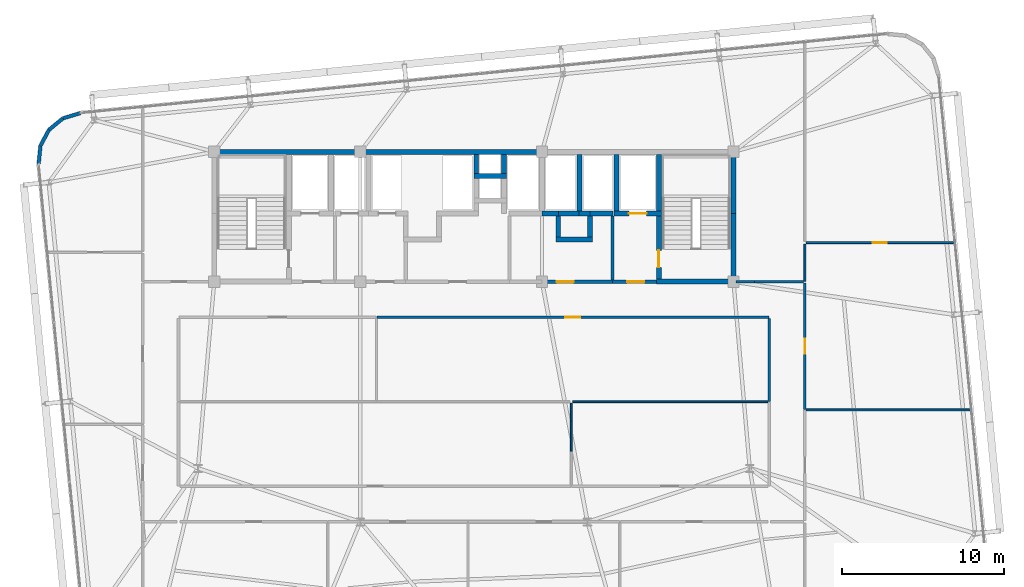
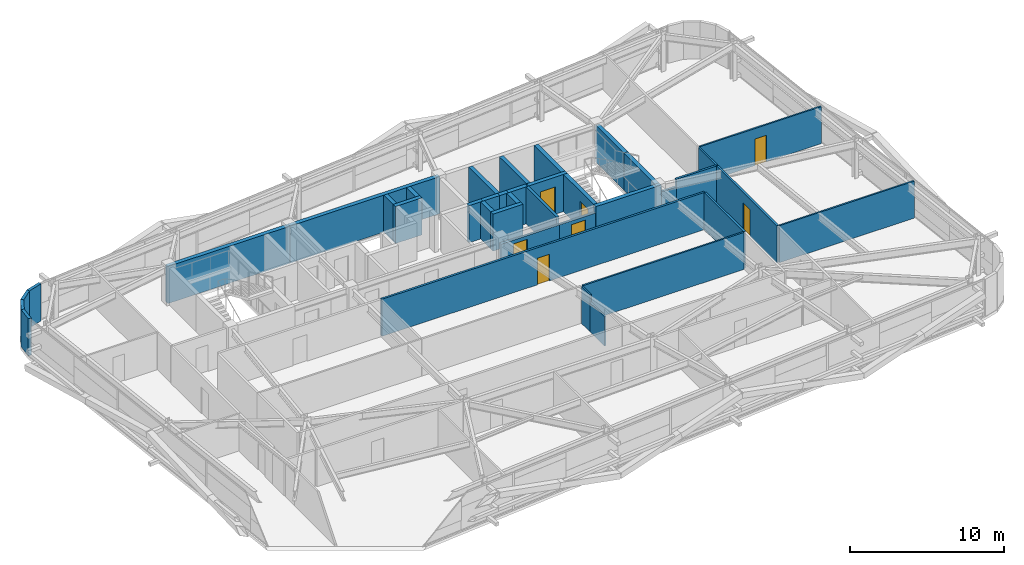
# One storey, part 43 of 47: 38 walls, 7 doors, 7 openings.
"""IFC4 building model written with IfcOpenShell, lengths in metres."""

from ifc_helpers import new_model, si_unit, direction, frame, frame_2d, origin, place, context, subcontext, project, spatial, rectangle, extrude, source, transform, mapped, material, layer, layer_set, type_object, element, fill, save


model = new_model("IFC4")

# Units and contexts
model_context = context("Model", 3, precision=1e-05, world=origin(), true_north=direction((0.0, 1.0)))
body_context = subcontext(model_context, "Body", "Model", "MODEL_VIEW")
ifc_project = project(units=[si_unit("LENGTHUNIT", "METRE"), si_unit("AREAUNIT", "SQUARE_METRE"), si_unit("VOLUMEUNIT", "CUBIC_METRE"), si_unit("PLANEANGLEUNIT", "RADIAN"), si_unit("MASSUNIT", "GRAM", prefix="KILO")], contexts=[model_context])

# Site, building, storey
site_placement = place(None, origin())
site = spatial("IfcSite", under=ifc_project, at=site_placement, CompositionType="ELEMENT")
building_placement = place(site_placement, origin())
building = spatial("IfcBuilding", under=site, at=building_placement, Name="Taldren Reach Tower", CompositionType="ELEMENT")
storey_placement = place(building_placement, frame((0.0, 0.0, 87.14990234375)))
storey = spatial("IfcBuildingStorey", under=building, at=storey_placement, Name="L26", CompositionType="ELEMENT", Elevation=87.14990234375)

# Walls
ifc_material_1 = material(Name="Pale Champagne Anodised Aluminium Cladding", Category="aluminium")
ifc_layer_1 = layer(ifc_material_1, 0.04, Name="Pale Champagne Anodised Aluminium Cladding", Category="aluminium")
ifc_material_2 = material(Name="Mineral Wool Acoustic Insulation", Category="insulation")
ifc_layer_2 = layer(ifc_material_2, 0.06, Name="Mineral Wool Acoustic Insulation", Category="insulation")
ifc_material_3 = material(Name="Steel Gr 350 (C350L0)", Category="steel")
ifc_layer_3 = layer(ifc_material_3, 0.12, Name="Steel Gr 350 (C350L0)", Category="steel")
ifc_layer_set_1 = layer_set([ifc_layer_1, ifc_layer_2, ifc_layer_3], Name="Pale Champagne Aluminium Cladding and Steel Gr 350 Stud Framing")
wall_type_1 = type_object("IfcWallType", Name="EW-CRN-220", PredefinedType="SOLIDWALL", material=ifc_layer_set_1)
shared_shape_1 = source(origin(), body_context, "Body", "SweptSolid", [
    extrude(rectangle(XDim=1.115966796875, YDim=0.219970703125, at=frame_2d((0.55810546875, 0.0))), origin(), (0.0, 0.0, 1.0), 2.93017578125),
])
wall_1_placement = place(storey_placement, frame((10.7509765625, 34.386474609375, 0.0), z_axis=(0.0, 0.0, 1.0), x_axis=(-0.957070388811, -0.289855603468, 0.0)))
element("IfcWall", 1, at=wall_1_placement, inside=storey, type_object=wall_type_1, Name="Rounded-corner pale-metal facade wall L26-NW1", PredefinedType="SOLIDWALL", context=body_context, shape_type="MappedRepresentation", body=[
    mapped(shared_shape_1, transform((0.0, 0.0, 0.0), scale=1.0)),
])
shared_shape_2 = source(origin(), body_context, "Body", "SweptSolid", [
    extrude(rectangle(XDim=1.11572265625, YDim=0.219970703125, at=frame_2d((0.557861328125, 0.0))), origin(), (0.0, 0.0, 1.0), 2.93017578125),
])
for number, where, z_axis, x_axis, name in (
    (2, (9.682861328125, 34.06298828125, 0.0), (0.0, 0.0, 1.0), (-0.773254916409, -0.634095287989, 0.0), "Rounded-corner pale-metal facade wall L26-NW2"),
    (3, (8.29345703125, 32.371337890625, 0.0), (0.0, 0.0, 1.0), (-0.098463783145, -0.99514063499, 0.0), "Rounded-corner pale-metal facade wall L26-NW4"),
):
    element("IfcWall", number, at=place(storey_placement, frame(where, z_axis=z_axis, x_axis=x_axis)), inside=storey, type_object=wall_type_1, Name=name, PredefinedType="SOLIDWALL", context=body_context, shape_type="MappedRepresentation", body=[
        mapped(shared_shape_2, transform((0.0, 0.0, 0.0), scale=1.0)),
    ])
shared_shape_3 = source(origin(), body_context, "Body", "SweptSolid", [
    extrude(rectangle(XDim=1.1162109375, YDim=0.219970703125, at=frame_2d((0.55810546875, 0.0))), origin(), (0.0, 0.0, 1.0), 2.93017578125),
])
wall_2_placement = place(storey_placement, frame((8.820068359375, 33.35546875, 0.0), z_axis=(0.0, 0.0, 1.0), x_axis=(-0.471802540493, -0.881704237704, 0.0)))
element("IfcWall", 4, at=wall_2_placement, inside=storey, type_object=wall_type_1, Name="Rounded-corner pale-metal facade wall L26-NW3", PredefinedType="SOLIDWALL", context=body_context, shape_type="MappedRepresentation", body=[
    mapped(shared_shape_3, transform((0.0, 0.0, 0.0), scale=1.0)),
])
ifc_material_4 = material(Name="Fire-Rated Acoustic Plasterboard Stud Wall", Category="gypsum")
ifc_layer_4 = layer(ifc_material_4, 0.159912109375)
ifc_layer_set_2 = layer_set([ifc_layer_4], Name="Fire-Rated Acoustic Plasterboard Stud Wall")
wall_type_2 = type_object("IfcWallType", Name="IW-FIRE-160", PredefinedType="PARTITIONING", material=ifc_layer_set_2)
shared_shape_4 = source(origin(), body_context, "Body", "SweptSolid", [
    extrude(rectangle(XDim=5.099853515625, YDim=0.159912109375, at=frame_2d((2.5498046875, 0.0))), origin(), (0.0, 0.0, 1.0), 2.93017578125),
])
wall_3_placement = place(storey_placement, frame((53.199951171875, 16.6201171875, 0.0), z_axis=(0.0, 0.0, 1.0), x_axis=(0.0, 1.0, 0.0)))
element("IfcWall", 5, at=wall_3_placement, inside=storey, type_object=wall_type_2, Name="Interior Partition Wall W-INT-L26-050", PredefinedType="PARTITIONING", context=body_context, shape_type="MappedRepresentation", body=[
    mapped(shared_shape_4, transform((0.0, 0.0, 0.0), scale=1.0)),
])

# Wall, opening, door
shared_shape_5 = source(origin(), body_context, "Body", "SweptSolid", [
    extrude(rectangle(XDim=24.159423828125, YDim=0.159912109375, at=frame_2d((12.07958984375, 0.0))), origin(), (0.0, 0.0, 1.0), 2.93017578125),
])
wall_4_placement = place(storey_placement, frame((53.1796875, 21.800048828125, 0.0), z_axis=(0.0, 0.0, 1.0), x_axis=(-1.0, 0.0, 0.0)))
wall_4 = element("IfcWall", 6, at=wall_4_placement, inside=storey, type_object=wall_type_2, Name="Interior Partition Wall W-INT-L26-049", PredefinedType="PARTITIONING", context=body_context, shape_type="MappedRepresentation", body=[
    mapped(shared_shape_5, transform((0.0, 0.0, 0.0), scale=1.0)),
])
shared_shape_6 = source(origin(), body_context, "Body", "SweptSolid", [
    extrude(rectangle(XDim=0.919921875, YDim=2.10009765625, at=frame_2d((0.4599609375, 1.050048828125))), frame((0.0, 0.08984375, 0.0), z_axis=(0.0, -1.0, 0.0), x_axis=(1.0, 0.0, 0.0)), (0.0, 0.0, 1.0), 0.179931640625),
])
opening_1_placement = place(wall_4_placement, frame((11.619873046875, 0.0, 0.0)))
opening_1 = element("IfcOpeningElement", 7, at=opening_1_placement, cuts=wall_4, Name="Opening DI-092", PredefinedType="OPENING", context=body_context, shape_type="MappedRepresentation", body=[
    mapped(shared_shape_6, transform((0.0, 0.0, 0.0), scale=1.0)),
])
ifc_material_5 = material(Name="Solid-Core Timber Suite Door", Category="wood")
door_type_1 = type_object("IfcDoorType", Name="ID-INT-092", OperationType="NOTDEFINED", PredefinedType="DOOR", material=ifc_material_5)
shared_shape_7 = source(origin(), body_context, "Body", "SweptSolid", [
    extrude(rectangle(XDim=0.919921875, YDim=2.10009765625, at=frame_2d((0.4599609375, 1.050048828125))), frame((0.0, 0.02490234375, 0.0), z_axis=(0.0, -1.0, 0.0), x_axis=(1.0, 0.0, 0.0)), (0.0, 0.0, 1.0), 0.050048828125),
])
door_1_placement = place(opening_1_placement, origin())
door_1 = element("IfcDoor", 8, at=door_1_placement, inside=storey, type_object=door_type_1, Name="Interior Door DR-L26-009", OperationType="SINGLE_SWING_RIGHT", OverallHeight=2.10009765625, OverallWidth=0.919921875, PredefinedType="DOOR", context=body_context, shape_type="MappedRepresentation", body=[
    mapped(shared_shape_7, transform((0.0, 0.0, 0.0), scale=1.0)),
])
fill(opening_1, door_1)

# Walls
ifc_material_6 = material(Name="Insulated Residential Stud Partition", Category="gypsum")
ifc_layer_5 = layer(ifc_material_6, 0.1201171875)
ifc_layer_set_3 = layer_set([ifc_layer_5], Name="Insulated Residential Stud Partition")
wall_type_3 = type_object("IfcWallType", Name="IW-PART-120", PredefinedType="PARTITIONING", material=ifc_layer_set_3)
shared_shape_8 = source(origin(), body_context, "Body", "SweptSolid", [
    extrude(rectangle(XDim=1.10400390625, YDim=0.1201171875, at=frame_2d((0.552001953125, 0.0))), origin(), (0.0, 0.0, 1.0), 2.93017578125),
])
wall_5_placement = place(storey_placement, frame((41.0, 16.52001953125, 0.0), z_axis=(0.0, 0.0, 1.0), x_axis=(0.0, -1.0, 0.0)))
element("IfcWall", 9, at=wall_5_placement, inside=storey, type_object=wall_type_3, Name="Interior Partition Wall W-INT-L26-065", PredefinedType="PARTITIONING", context=body_context, shape_type="MappedRepresentation", body=[
    mapped(shared_shape_8, transform((0.0, 0.0, 0.0), scale=1.0)),
])
shared_shape_9 = source(origin(), body_context, "Body", "SweptSolid", [
    extrude(rectangle(XDim=1.860595703125, YDim=0.1201171875, at=frame_2d((0.93017578125, 0.0))), origin(), (0.0, 0.0, 1.0), 2.328125),
])
wall_6_placement = place(storey_placement, frame((41.0, 15.416015625, 0.0), z_axis=(0.0, 0.0, 1.0), x_axis=(0.0, -1.0, 0.0)))
element("IfcWall", 10, at=wall_6_placement, inside=storey, type_object=wall_type_3, Name="Interior Partition Wall W-INT-L26-065 part 2", PredefinedType="PARTITIONING", context=body_context, shape_type="MappedRepresentation", body=[
    mapped(shared_shape_9, transform((0.0, 0.0, 0.0), scale=1.0)),
])
shared_shape_10 = source(origin(), body_context, "Body", "SweptSolid", [
    extrude(rectangle(XDim=12.0400390625, YDim=0.1201171875, at=frame_2d((6.02001953125, 0.0))), origin(), (0.0, 0.0, 1.0), 2.93017578125),
])
wall_7_placement = place(storey_placement, frame((41.080078125, 16.60009765625, 0.0), z_axis=(0.0, 0.0, 1.0), x_axis=(1.0, 0.0, 0.0)))
element("IfcWall", 11, at=wall_7_placement, inside=storey, type_object=wall_type_3, Name="Interior Partition Wall W-INT-L26-068", PredefinedType="PARTITIONING", context=body_context, shape_type="MappedRepresentation", body=[
    mapped(shared_shape_10, transform((0.0, 0.0, 0.0), scale=1.0)),
])
ifc_material_7 = material(Name="Concrete S65 (65 MPa)", Category="concrete")
ifc_layer_6 = layer(ifc_material_7, 0.300048828125)
ifc_layer_set_4 = layer_set([ifc_layer_6], Name="Concrete S65 (65 MPa)")
wall_type_4 = type_object("IfcWallType", Name="IW-CORE-300", PredefinedType="SHEAR", material=ifc_layer_set_4)
shared_shape_11 = source(origin(), body_context, "Body", "SweptSolid", [
    extrude(rectangle(XDim=9.14990234375, YDim=0.300048828125, at=frame_2d((4.574951171875, 0.0))), origin(), (0.0, 0.0, 1.0), 2.93017578125),
])
wall_8_placement = place(storey_placement, frame((18.85009765625, 32.0, 0.0), z_axis=(0.0, 0.0, 1.0), x_axis=(1.0, 0.0, 0.0)))
element("IfcWall", 12, at=wall_8_placement, inside=storey, type_object=wall_type_4, Name="Rear Core Shear Wall W-CORE-L26-NORTH1", PredefinedType="SHEAR", context=body_context, shape_type="MappedRepresentation", body=[
    mapped(shared_shape_11, transform((0.0, 0.0, 0.0), scale=1.0)),
])
shared_shape_12 = source(origin(), body_context, "Body", "SweptSolid", [
    extrude(rectangle(XDim=11.199951171875, YDim=0.300048828125, at=frame_2d((5.60009765625, 0.0))), origin(), (0.0, 0.0, 1.0), 2.93017578125),
])
wall_9_placement = place(storey_placement, frame((28.0, 32.0, 0.0), z_axis=(0.0, 0.0, 1.0), x_axis=(1.0, 0.0, 0.0)))
element("IfcWall", 13, at=wall_9_placement, inside=storey, type_object=wall_type_4, Name="Rear Core Shear Wall W-CORE-L26-NORTH2", PredefinedType="SHEAR", context=body_context, shape_type="MappedRepresentation", body=[
    mapped(shared_shape_12, transform((0.0, 0.0, 0.0), scale=1.0)),
])
shared_shape_13 = source(origin(), body_context, "Body", "SweptSolid", [
    extrude(rectangle(XDim=4.050048828125, YDim=0.300048828125, at=frame_2d((2.02490234375, 0.0))), origin(), (0.0, 0.0, 1.0), 2.93017578125),
])
wall_10_placement = place(storey_placement, frame((51.0, 24.14990234375, 0.0), z_axis=(0.0, 0.0, 1.0), x_axis=(0.0, 1.0, 0.0)))
element("IfcWall", 14, at=wall_10_placement, inside=storey, type_object=wall_type_4, Name="Rear Core Shear Wall W-CORE-L26-EAST1", PredefinedType="SHEAR", context=body_context, shape_type="MappedRepresentation", body=[
    mapped(shared_shape_13, transform((0.0, 0.0, 0.0), scale=1.0)),
])
shared_shape_14 = source(origin(), body_context, "Body", "SweptSolid", [
    extrude(rectangle(XDim=3.650146484375, YDim=0.300048828125, at=frame_2d((1.8251953125, 0.0))), origin(), (0.0, 0.0, 1.0), 2.93017578125),
])
wall_11_placement = place(storey_placement, frame((51.0, 28.199951171875, 0.0), z_axis=(0.0, 0.0, 1.0), x_axis=(0.0, 1.0, 0.0)))
element("IfcWall", 15, at=wall_11_placement, inside=storey, type_object=wall_type_4, Name="Rear Core Shear Wall W-CORE-L26-EAST2", PredefinedType="SHEAR", context=body_context, shape_type="MappedRepresentation", body=[
    mapped(shared_shape_14, transform((0.0, 0.0, 0.0), scale=1.0)),
])
shared_shape_15 = source(origin(), body_context, "Body", "SweptSolid", [
    extrude(rectangle(XDim=3.5, YDim=0.300048828125, at=frame_2d((1.75, 0.0))), origin(), (0.0, 0.0, 1.0), 2.93017578125),
])
for number, where, z_axis, x_axis, name in (
    (16, (46.39990234375, 31.85009765625, 0.0), (0.0, 0.0, 1.0), (0.0, -1.0, 0.0), "Rear Core Shear Wall W-INT-L26-008"),
    (17, (43.800048828125, 31.85009765625, 0.0), (0.0, 0.0, 1.0), (0.0, -1.0, 0.0), "Rear Core Shear Wall W-INT-L26-012"),
    (18, (41.5, 28.35009765625, 0.0), (0.0, 0.0, 1.0), (0.0, 1.0, 0.0), "Rear Core Shear Wall W-INT-L26-039"),
):
    element("IfcWall", number, at=place(storey_placement, frame(where, z_axis=z_axis, x_axis=x_axis)), inside=storey, type_object=wall_type_4, Name=name, PredefinedType="SHEAR", context=body_context, shape_type="MappedRepresentation", body=[
        mapped(shared_shape_15, transform((0.0, 0.0, 0.0), scale=1.0)),
    ])

# Wall, opening, door
shared_shape_16 = source(origin(), body_context, "Body", "SweptSolid", [
    extrude(rectangle(XDim=3.900146484375, YDim=0.300048828125, at=frame_2d((1.9501953125, 0.0))), origin(), (0.0, 0.0, 1.0), 2.93017578125),
])
wall_12_placement = place(storey_placement, frame((46.39990234375, 28.050048828125, 0.0), z_axis=(0.0, 0.0, 1.0), x_axis=(0.0, -1.0, 0.0)))
wall_12 = element("IfcWall", 19, at=wall_12_placement, inside=storey, type_object=wall_type_4, Name="Rear Core Shear Wall W-INT-L26-009", PredefinedType="SHEAR", context=body_context, shape_type="MappedRepresentation", body=[
    mapped(shared_shape_16, transform((0.0, 0.0, 0.0), scale=1.0)),
])
shared_shape_17 = source(origin(), body_context, "Body", "SweptSolid", [
    extrude(rectangle(XDim=1.050048828125, YDim=2.10009765625, at=frame_2d((0.52490234375, 1.050048828125))), frame((0.0, 0.16015625, 0.0), z_axis=(0.0, -1.0, 0.0), x_axis=(1.0, 0.0, 0.0)), (0.0, 0.0, 1.0), 0.320068359375),
])
opening_2_placement = place(wall_12_placement, frame((2.125, 0.0, 0.0)))
opening_2 = element("IfcOpeningElement", 20, at=opening_2_placement, cuts=wall_12, Name="Opening DF-105", PredefinedType="OPENING", context=body_context, shape_type="MappedRepresentation", body=[
    mapped(shared_shape_17, transform((0.0, 0.0, 0.0), scale=1.0)),
])
ifc_material_8 = material(Name="Fire-Rated Care and Stair Exit Door")
door_type_2 = type_object("IfcDoorType", Name="ID-FIRE-105", OperationType="NOTDEFINED", PredefinedType="DOOR", material=ifc_material_8)
shared_shape_18 = source(origin(), body_context, "Body", "SweptSolid", [
    extrude(rectangle(XDim=1.050048828125, YDim=2.10009765625, at=frame_2d((0.52490234375, 1.050048828125))), frame((0.0, 0.02490234375, 0.0), z_axis=(0.0, -1.0, 0.0), x_axis=(1.0, 0.0, 0.0)), (0.0, 0.0, 1.0), 0.050048828125),
])
door_2_placement = place(opening_2_placement, origin())
door_2 = element("IfcDoor", 21, at=door_2_placement, inside=storey, type_object=door_type_2, Name="Fire Exit Stair Door DR-L26-003", OperationType="SINGLE_SWING_RIGHT", OverallHeight=2.10009765625, OverallWidth=1.050048828125, PredefinedType="DOOR", context=body_context, shape_type="MappedRepresentation", body=[
    mapped(shared_shape_18, transform((0.0, 0.0, 0.0), scale=1.0)),
])
fill(opening_2, door_2)

# Wall
shared_shape_19 = source(origin(), body_context, "Body", "SweptSolid", [
    extrude(rectangle(XDim=4.89990234375, YDim=0.300048828125, at=frame_2d((2.449951171875, 0.0))), origin(), (0.0, 0.0, 1.0), 2.93017578125),
])
wall_13_placement = place(storey_placement, frame((46.25, 24.0, 0.0), z_axis=(0.0, 0.0, 1.0), x_axis=(1.0, 0.0, 0.0)))
element("IfcWall", 22, at=wall_13_placement, inside=storey, type_object=wall_type_4, Name="Rear Core Shear Wall W-INT-L26-010", PredefinedType="SHEAR", context=body_context, shape_type="MappedRepresentation", body=[
    mapped(shared_shape_19, transform((0.0, 0.0, 0.0), scale=1.0)),
])

# Wall, opening, door
shared_shape_20 = source(origin(), body_context, "Body", "SweptSolid", [
    extrude(rectangle(XDim=2.900146484375, YDim=0.300048828125, at=frame_2d((1.4501953125, 0.0))), origin(), (0.0, 0.0, 1.0), 2.93017578125),
])
wall_14_placement = place(storey_placement, frame((43.64990234375, 28.199951171875, 0.0), z_axis=(0.0, 0.0, 1.0), x_axis=(1.0, 0.0, 0.0)))
wall_14 = element("IfcWall", 23, at=wall_14_placement, inside=storey, type_object=wall_type_4, Name="Rear Core Shear Wall W-INT-L26-011", PredefinedType="SHEAR", context=body_context, shape_type="MappedRepresentation", body=[
    mapped(shared_shape_20, transform((0.0, 0.0, 0.0), scale=1.0)),
])
shared_shape_21 = source(origin(), body_context, "Body", "SweptSolid", [
    extrude(rectangle(XDim=1.10009765625, YDim=2.14990234375, at=frame_2d((0.550048828125, 1.074951171875))), frame((0.0, 0.16015625, 0.0), z_axis=(0.0, -1.0, 0.0), x_axis=(1.0, 0.0, 0.0)), (0.0, 0.0, 1.0), 0.320068359375),
])
opening_3_placement = place(wall_14_placement, frame((0.89990234375, 0.0, 0.0)))
opening_3 = element("IfcOpeningElement", 24, at=opening_3_placement, cuts=wall_14, Name="Opening LD-FL2", PredefinedType="OPENING", context=body_context, shape_type="MappedRepresentation", body=[
    mapped(shared_shape_21, transform((0.0, 0.0, 0.0), scale=1.0)),
])
ifc_material_9 = material(Name="Stainless Steel Gr 316 Emergency Lift Landing Door", Category="steel")
door_type_3 = type_object("IfcDoorType", Name="LD-EMG-110", OperationType="SLIDING_TO_LEFT", PredefinedType="DOOR", material=ifc_material_9)
shared_shape_22 = source(origin(), body_context, "Body", "SweptSolid", [
    extrude(rectangle(XDim=1.10009765625, YDim=2.14990234375, at=frame_2d((0.550048828125, 1.074951171875))), frame((0.0, 0.02490234375, 0.0), z_axis=(0.0, -1.0, 0.0), x_axis=(1.0, 0.0, 0.0)), (0.0, 0.0, 1.0), 0.050048828125),
])
door_3_placement = place(opening_3_placement, origin())
door_3 = element("IfcDoor", 25, at=door_3_placement, inside=storey, type_object=door_type_3, Name="Lift Landing Door LD-FL2-L26", OperationType="SLIDING_TO_LEFT", OverallHeight=2.14990234375, OverallWidth=1.10009765625, PredefinedType="DOOR", context=body_context, shape_type="MappedRepresentation", body=[
    mapped(shared_shape_22, transform((0.0, 0.0, 0.0), scale=1.0)),
])
fill(opening_3, door_3)

# Wall
ifc_material_10 = material(Name="Concrete S50 (50 MPa)", Category="concrete")
ifc_layer_7 = layer(ifc_material_10, 0.199951171875)
ifc_layer_set_5 = layer_set([ifc_layer_7], Name="Concrete S50 (50 MPa)")
wall_type_5 = type_object("IfcWallType", Name="IW-CORE-200", PredefinedType="SOLIDWALL", material=ifc_layer_set_5)
shared_shape_23 = source(origin(), body_context, "Body", "SweptSolid", [
    extrude(rectangle(XDim=3.949951171875, YDim=0.199951171875, at=frame_2d((1.97509765625, 0.0))), origin(), (0.0, 0.0, 1.0), 2.93017578125),
])
wall_15_placement = place(storey_placement, frame((43.550048828125, 28.050048828125, 0.0), z_axis=(0.0, 0.0, 1.0), x_axis=(0.0, -1.0, 0.0)))
element("IfcWall", 26, at=wall_15_placement, inside=storey, type_object=wall_type_5, Name="Rear Core Shear Wall W-INT-L26-013", PredefinedType="SOLIDWALL", context=body_context, shape_type="MappedRepresentation", body=[
    mapped(shared_shape_23, transform((0.0, 0.0, 0.0), scale=1.0)),
])

# Wall, opening, door
shared_shape_24 = source(origin(), body_context, "Body", "SweptSolid", [
    extrude(rectangle(XDim=2.699951171875, YDim=0.199951171875, at=frame_2d((1.35009765625, 0.0))), origin(), (0.0, 0.0, 1.0), 2.397216796875),
])
wall_16_placement = place(storey_placement, frame((43.550048828125, 24.0, 0.0), z_axis=(0.0, 0.0, 1.0), x_axis=(1.0, 0.0, 0.0)))
wall_16 = element("IfcWall", 27, at=wall_16_placement, inside=storey, type_object=wall_type_5, Name="Rear Core Shear Wall W-INT-L26-014", PredefinedType="SOLIDWALL", context=body_context, shape_type="MappedRepresentation", body=[
    mapped(shared_shape_24, transform((0.0, 0.0, 0.0), scale=1.0)),
])
shared_shape_25 = source(origin(), body_context, "Body", "SweptSolid", [
    extrude(rectangle(XDim=1.050048828125, YDim=2.10009765625, at=frame_2d((0.52490234375, 1.050048828125))), frame((0.0, 0.10986328125, 0.0), z_axis=(0.0, -1.0, 0.0), x_axis=(1.0, 0.0, 0.0)), (0.0, 0.0, 1.0), 0.219970703125),
])
opening_4_placement = place(wall_16_placement, frame((0.89990234375, 0.0, 0.0)))
opening_4 = element("IfcOpeningElement", 28, at=opening_4_placement, cuts=wall_16, Name="Opening DF-105", PredefinedType="OPENING", context=body_context, shape_type="MappedRepresentation", body=[
    mapped(shared_shape_25, transform((0.0, 0.0, 0.0), scale=1.0)),
])
door_4_placement = place(opening_4_placement, origin())
door_4 = element("IfcDoor", 29, at=door_4_placement, inside=storey, type_object=door_type_2, Name="Interior Door DR-L26-004", OperationType="SINGLE_SWING_LEFT", OverallHeight=2.10009765625, OverallWidth=1.050048828125, PredefinedType="DOOR", context=body_context, shape_type="MappedRepresentation", body=[
    mapped(shared_shape_18, transform((0.0, 0.0, 0.0), scale=1.0)),
])
fill(opening_4, door_4)

# Walls
shared_shape_26 = source(origin(), body_context, "Body", "SweptSolid", [
    extrude(rectangle(XDim=2.0, YDim=0.300048828125, at=frame_2d((1.0, 0.0))), origin(), (0.0, 0.0, 1.0), 2.93017578125),
])
wall_17_placement = place(storey_placement, frame((35.0, 30.5, 0.0), z_axis=(0.0, 0.0, 1.0), x_axis=(1.0, 0.0, 0.0)))
element("IfcWall", 30, at=wall_17_placement, inside=storey, type_object=wall_type_4, Name="Rear Core Shear Wall W-INT-L26-015", PredefinedType="SHEAR", context=body_context, shape_type="MappedRepresentation", body=[
    mapped(shared_shape_26, transform((0.0, 0.0, 0.0), scale=1.0)),
])
shared_shape_27 = source(origin(), body_context, "Body", "SweptSolid", [
    extrude(rectangle(XDim=1.2001953125, YDim=0.300048828125, at=frame_2d((0.60009765625, 0.0))), origin(), (0.0, 0.0, 1.0), 2.93017578125),
])
for number, where, z_axis, x_axis, name in (
    (31, (35.14990234375, 31.85009765625, 0.0), (0.0, 0.0, 1.0), (0.0, -1.0, 0.0), "Rear Core Shear Wall W-INT-L26-016"),
    (32, (36.85009765625, 30.64990234375, 0.0), (0.0, 0.0, 1.0), (0.0, 1.0, 0.0), "Rear Core Shear Wall W-INT-L26-017"),
):
    element("IfcWall", number, at=place(storey_placement, frame(where, z_axis=z_axis, x_axis=x_axis)), inside=storey, type_object=wall_type_4, Name=name, PredefinedType="SHEAR", context=body_context, shape_type="MappedRepresentation", body=[
        mapped(shared_shape_27, transform((0.0, 0.0, 0.0), scale=1.0)),
    ])
shared_shape_28 = source(origin(), body_context, "Body", "SweptSolid", [
    extrude(rectangle(XDim=1.300048828125, YDim=0.300048828125, at=frame_2d((0.64990234375, 0.0))), origin(), (0.0, 0.0, 1.0), 2.93017578125),
])
for number, where, z_axis, x_axis, name in (
    (33, (40.199951171875, 28.050048828125, 0.0), (0.0, 0.0, 1.0), (0.0, -1.0, 0.0), "Rear Core Shear Wall W-INT-L26-027"),
    (34, (42.14990234375, 26.75, 0.0), (0.0, 0.0, 1.0), (0.0, 1.0, 0.0), "Rear Core Shear Wall W-INT-L26-028"),
):
    element("IfcWall", number, at=place(storey_placement, frame(where, z_axis=z_axis, x_axis=x_axis)), inside=storey, type_object=wall_type_4, Name=name, PredefinedType="SHEAR", context=body_context, shape_type="MappedRepresentation", body=[
        mapped(shared_shape_28, transform((0.0, 0.0, 0.0), scale=1.0)),
    ])
shared_shape_29 = source(origin(), body_context, "Body", "SweptSolid", [
    extrude(rectangle(XDim=1.320068359375, YDim=0.300048828125, at=frame_2d((0.66015625, 0.0))), origin(), (0.0, 0.0, 1.0), 2.93017578125),
])
wall_18_placement = place(storey_placement, frame((41.52001953125, 28.199951171875, 0.0), z_axis=(0.0, 0.0, 1.0), x_axis=(-1.0, 0.0, 0.0)))
element("IfcWall", 35, at=wall_18_placement, inside=storey, type_object=wall_type_4, Name="Rear Core Shear Wall W-INT-L26-024", PredefinedType="SHEAR", context=body_context, shape_type="MappedRepresentation", body=[
    mapped(shared_shape_29, transform((0.0, 0.0, 0.0), scale=1.0)),
])
shared_shape_30 = source(origin(), body_context, "Body", "SweptSolid", [
    extrude(rectangle(XDim=0.669921875, YDim=0.300048828125, at=frame_2d((0.3349609375, 0.0))), origin(), (0.0, 0.0, 1.0), 2.93017578125),
])
wall_19_placement = place(storey_placement, frame((42.14990234375, 28.199951171875, 0.0), z_axis=(0.0, 0.0, 1.0), x_axis=(-1.0, 0.0, 0.0)))
element("IfcWall", 36, at=wall_19_placement, inside=storey, type_object=wall_type_4, Name="Rear Core Shear Wall W-INT-L26-025", PredefinedType="SHEAR", context=body_context, shape_type="MappedRepresentation", body=[
    mapped(shared_shape_30, transform((0.0, 0.0, 0.0), scale=1.0)),
])
shared_shape_31 = source(origin(), body_context, "Body", "SweptSolid", [
    extrude(rectangle(XDim=2.25, YDim=0.300048828125, at=frame_2d((1.125, 0.0))), origin(), (0.0, 0.0, 1.0), 2.93017578125),
])
wall_20_placement = place(storey_placement, frame((40.050048828125, 26.60009765625, 0.0), z_axis=(0.0, 0.0, 1.0), x_axis=(1.0, 0.0, 0.0)))
element("IfcWall", 37, at=wall_20_placement, inside=storey, type_object=wall_type_4, Name="Rear Core Shear Wall W-INT-L26-026", PredefinedType="SHEAR", context=body_context, shape_type="MappedRepresentation", body=[
    mapped(shared_shape_31, transform((0.0, 0.0, 0.0), scale=1.0)),
])
shared_shape_32 = source(origin(), body_context, "Body", "SweptSolid", [
    extrude(rectangle(XDim=1.02001953125, YDim=0.300048828125, at=frame_2d((0.510009765625, 0.0))), origin(), (0.0, 0.0, 1.0), 2.93017578125),
])
wall_21_placement = place(storey_placement, frame((39.199951171875, 28.199951171875, 0.0), z_axis=(0.0, 0.0, 1.0), x_axis=(1.0, 0.0, 0.0)))
element("IfcWall", 38, at=wall_21_placement, inside=storey, type_object=wall_type_4, Name="Rear Core Shear Wall W-INT-L26-040", PredefinedType="SHEAR", context=body_context, shape_type="MappedRepresentation", body=[
    mapped(shared_shape_32, transform((0.0, 0.0, 0.0), scale=1.0)),
])
shared_shape_33 = source(origin(), body_context, "Body", "SweptSolid", [
    extrude(rectangle(XDim=1.440185546875, YDim=0.300048828125, at=frame_2d((0.72021484375, 0.0))), origin(), (0.0, 0.0, 1.0), 2.93017578125),
])
wall_22_placement = place(storey_placement, frame((42.1298828125, 28.199951171875, 0.0), z_axis=(0.0, 0.0, 1.0), x_axis=(1.0, 0.0, 0.0)))
element("IfcWall", 39, at=wall_22_placement, inside=storey, type_object=wall_type_4, Name="Rear Core Shear Wall W-INT-L26-041", PredefinedType="SHEAR", context=body_context, shape_type="MappedRepresentation", body=[
    mapped(shared_shape_33, transform((0.0, 0.0, 0.0), scale=1.0)),
])

# Wall, opening, door
shared_shape_34 = source(origin(), body_context, "Body", "SweptSolid", [
    extrude(rectangle(XDim=4.35009765625, YDim=0.199951171875, at=frame_2d((2.175048828125, 0.0))), origin(), (0.0, 0.0, 1.0), 2.397216796875),
])
wall_23_placement = place(storey_placement, frame((43.550048828125, 24.0, 0.0), z_axis=(0.0, 0.0, 1.0), x_axis=(-1.0, 0.0, 0.0)))
wall_23 = element("IfcWall", 40, at=wall_23_placement, inside=storey, type_object=wall_type_5, Name="Rear Core Shear Wall W-INT-L26-044", PredefinedType="SOLIDWALL", context=body_context, shape_type="MappedRepresentation", body=[
    mapped(shared_shape_34, transform((0.0, 0.0, 0.0), scale=1.0)),
])
opening_5_placement = place(wall_23_placement, frame((2.39990234375, 0.0, 0.0)))
opening_5 = element("IfcOpeningElement", 41, at=opening_5_placement, cuts=wall_23, Name="Opening DF-105", PredefinedType="OPENING", context=body_context, shape_type="MappedRepresentation", body=[
    mapped(shared_shape_25, transform((0.0, 0.0, 0.0), scale=1.0)),
])
door_5_placement = place(opening_5_placement, frame((1.050048828125, 0.0, 0.0), z_axis=(0.0, 0.0, 1.0), x_axis=(-1.0, 0.0, 0.0)))
door_5 = element("IfcDoor", 42, at=door_5_placement, inside=storey, type_object=door_type_2, Name="Interior Door DR-L26-007", OperationType="SINGLE_SWING_RIGHT", OverallHeight=2.10009765625, OverallWidth=1.050048828125, PredefinedType="DOOR", context=body_context, shape_type="MappedRepresentation", body=[
    mapped(shared_shape_18, transform((0.0, 0.0, 0.0), scale=1.0)),
])
fill(opening_5, door_5)

# Walls
shared_shape_35 = source(origin(), body_context, "Body", "SweptSolid", [
    extrude(rectangle(XDim=1.154541015625, YDim=0.159912109375, at=frame_2d((0.5771484375, 0.0))), origin(), (0.0, 0.0, 1.0), 2.328125),
])
wall_24_placement = place(storey_placement, frame((51.14990234375, 24.0, 0.0), z_axis=(0.0, 0.0, 1.0), x_axis=(1.0, 0.0, 0.0)))
element("IfcWall", 43, at=wall_24_placement, inside=storey, type_object=wall_type_2, Name="Interior Partition Wall W-INT-L26-058", PredefinedType="PARTITIONING", context=body_context, shape_type="MappedRepresentation", body=[
    mapped(shared_shape_35, transform((0.0, 0.0, 0.0), scale=1.0)),
])
shared_shape_36 = source(origin(), body_context, "Body", "SweptSolid", [
    extrude(rectangle(XDim=3.015625, YDim=0.159912109375, at=frame_2d((1.5078125, 0.0))), origin(), (0.0, 0.0, 1.0), 2.93017578125),
])
wall_25_placement = place(storey_placement, frame((52.304443359375, 24.0, 0.0), z_axis=(0.0, 0.0, 1.0), x_axis=(1.0, 0.0, 0.0)))
element("IfcWall", 44, at=wall_25_placement, inside=storey, type_object=wall_type_2, Name="Interior Partition Wall W-INT-L26-058 part 2", PredefinedType="PARTITIONING", context=body_context, shape_type="MappedRepresentation", body=[
    mapped(shared_shape_36, transform((0.0, 0.0, 0.0), scale=1.0)),
])

# Wall, opening, door
shared_shape_37 = source(origin(), body_context, "Body", "SweptSolid", [
    extrude(rectangle(XDim=7.7998046875, YDim=0.159912109375, at=frame_2d((3.89990234375, 0.0))), origin(), (0.0, 0.0, 1.0), 2.93017578125),
])
wall_26_placement = place(storey_placement, frame((55.39990234375, 23.919921875, 0.0), z_axis=(0.0, 0.0, 1.0), x_axis=(0.0, -1.0, 0.0)))
wall_26 = element("IfcWall", 45, at=wall_26_placement, inside=storey, type_object=wall_type_2, Name="Interior Partition Wall W-INT-L26-056", PredefinedType="PARTITIONING", context=body_context, shape_type="MappedRepresentation", body=[
    mapped(shared_shape_37, transform((0.0, 0.0, 0.0), scale=1.0)),
])
opening_6_placement = place(wall_26_placement, frame((3.43994140625, 0.0, 0.0)))
opening_6 = element("IfcOpeningElement", 46, at=opening_6_placement, cuts=wall_26, Name="Opening DI-092", PredefinedType="OPENING", context=body_context, shape_type="MappedRepresentation", body=[
    mapped(shared_shape_6, transform((0.0, 0.0, 0.0), scale=1.0)),
])
door_6_placement = place(opening_6_placement, origin())
door_6 = element("IfcDoor", 47, at=door_6_placement, inside=storey, type_object=door_type_1, Name="Interior Door DR-L26-013", OperationType="SINGLE_SWING_RIGHT", OverallHeight=2.10009765625, OverallWidth=0.919921875, PredefinedType="DOOR", context=body_context, shape_type="MappedRepresentation", body=[
    mapped(shared_shape_7, transform((0.0, 0.0, 0.0), scale=1.0)),
])
fill(opening_6, door_6)

# Wall
shared_shape_38 = source(origin(), body_context, "Body", "SweptSolid", [
    extrude(rectangle(XDim=10.0947265625, YDim=0.1201171875, at=frame_2d((5.04736328125, 0.0))), origin(), (0.0, 0.0, 1.0), 2.93017578125),
])
wall_27_placement = place(storey_placement, frame((55.47998046875, 16.10009765625, 0.0), z_axis=(0.0, 0.0, 1.0), x_axis=(1.0, 0.0, 0.0)))
element("IfcWall", 48, at=wall_27_placement, inside=storey, type_object=wall_type_3, Name="Interior Partition Wall W-INT-L26-079", PredefinedType="PARTITIONING", context=body_context, shape_type="MappedRepresentation", body=[
    mapped(shared_shape_38, transform((0.0, 0.0, 0.0), scale=1.0)),
])

# Wall, opening, door
shared_shape_39 = source(origin(), body_context, "Body", "SweptSolid", [
    extrude(rectangle(XDim=9.0849609375, YDim=0.1201171875, at=frame_2d((4.54248046875, 0.0))), origin(), (0.0, 0.0, 1.0), 2.93017578125),
])
wall_28_placement = place(storey_placement, frame((55.47998046875, 26.39990234375, 0.0), z_axis=(0.0, 0.0, 1.0), x_axis=(1.0, 0.0, 0.0)))
wall_28 = element("IfcWall", 49, at=wall_28_placement, inside=storey, type_object=wall_type_3, Name="Interior Partition Wall W-INT-L26-080", PredefinedType="PARTITIONING", context=body_context, shape_type="MappedRepresentation", body=[
    mapped(shared_shape_39, transform((0.0, 0.0, 0.0), scale=1.0)),
])
shared_shape_40 = source(origin(), body_context, "Body", "SweptSolid", [
    extrude(rectangle(XDim=0.860107421875, YDim=2.10009765625, at=frame_2d((0.43017578125, 1.050048828125))), frame((0.0, 0.070068359375, 0.0), z_axis=(0.0, -1.0, 0.0), x_axis=(1.0, 0.0, 0.0)), (0.0, 0.0, 1.0), 0.14013671875),
])
opening_7_placement = place(wall_28_placement, frame((4.1123046875, 0.0, 0.0)))
opening_7 = element("IfcOpeningElement", 50, at=opening_7_placement, cuts=wall_28, Name="Opening DI-086", PredefinedType="OPENING", context=body_context, shape_type="MappedRepresentation", body=[
    mapped(shared_shape_40, transform((0.0, 0.0, 0.0), scale=1.0)),
])
ifc_material_11 = material(Name="Timber Bathroom Door", Category="wood")
door_type_4 = type_object("IfcDoorType", Name="ID-INT-086", OperationType="NOTDEFINED", PredefinedType="DOOR", material=ifc_material_11)
shared_shape_41 = source(origin(), body_context, "Body", "SweptSolid", [
    extrude(rectangle(XDim=0.860107421875, YDim=2.10009765625, at=frame_2d((0.43017578125, 1.050048828125))), frame((0.0, 0.02490234375, 0.0), z_axis=(0.0, -1.0, 0.0), x_axis=(1.0, 0.0, 0.0)), (0.0, 0.0, 1.0), 0.050048828125),
])
door_7_placement = place(opening_7_placement, frame((0.860107421875, 0.0, 0.0), z_axis=(0.0, 0.0, 1.0), x_axis=(-1.0, 0.0, 0.0)))
door_7 = element("IfcDoor", 51, at=door_7_placement, inside=storey, type_object=door_type_4, Name="Interior Door DR-L26-022", OperationType="SINGLE_SWING_RIGHT", OverallHeight=2.10009765625, OverallWidth=0.860107421875, PredefinedType="DOOR", context=body_context, shape_type="MappedRepresentation", body=[
    mapped(shared_shape_41, transform((0.0, 0.0, 0.0), scale=1.0)),
])
fill(opening_7, door_7)

# Wall
shared_shape_42 = source(origin(), body_context, "Body", "SweptSolid", [
    extrude(rectangle(XDim=2.2998046875, YDim=0.1201171875, at=frame_2d((1.14990234375, 0.0))), origin(), (0.0, 0.0, 1.0), 2.93017578125),
])
wall_29_placement = place(storey_placement, frame((55.39990234375, 24.020263671875, 0.0), z_axis=(0.0, 0.0, 1.0), x_axis=(0.0, 1.0, 0.0)))
element("IfcWall", 52, at=wall_29_placement, inside=storey, type_object=wall_type_3, Name="Interior Partition Wall W-INT-L26-081", PredefinedType="PARTITIONING", context=body_context, shape_type="MappedRepresentation", body=[
    mapped(shared_shape_42, transform((0.0, 0.0, 0.0), scale=1.0)),
])

save(model, "model.ifc")
